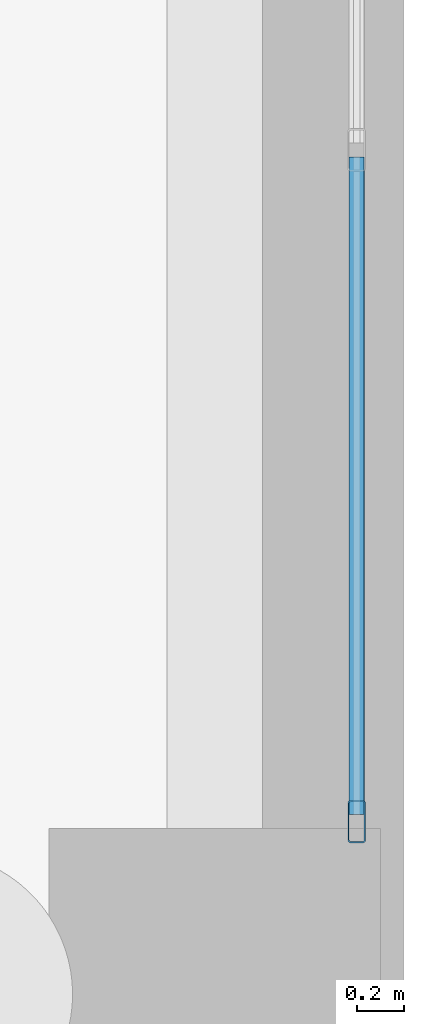
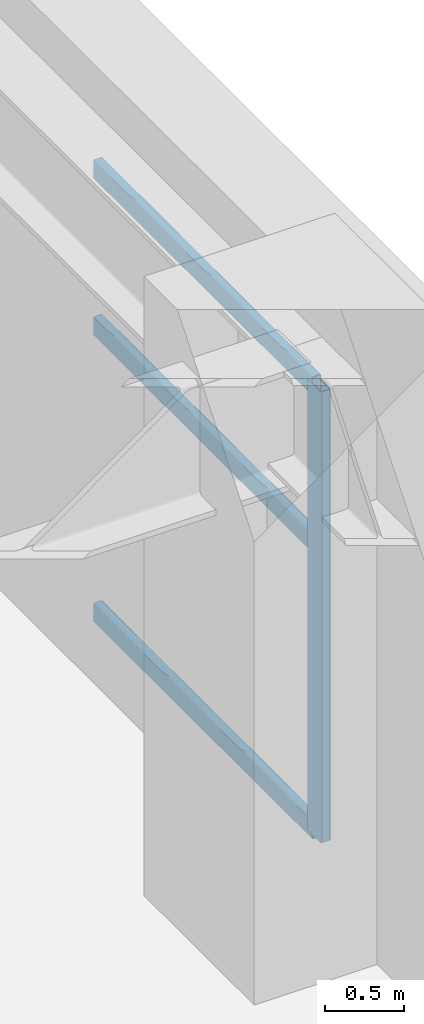
# One storey, part 12 of 25: 4 members, 1 element without a shape of its own.
"""IFC4 building model written with IfcOpenShell, lengths in metres."""

from ifc_helpers import new_model, si_unit, direction, frame, origin, origin_2d, place, context, subcontext, project, spatial, hollow_rectangle, extrude, material, layer, layer_set, material_profile, profile_set, type_object, element, aggregate, save


model = new_model("IFC4")

# Units and contexts
model_context = context("Model", 3, precision=1e-05, world=origin(), true_north=direction((0.0, 1.0)))
body_context = subcontext(model_context, "Body", "Model", "MODEL_VIEW")
ifc_project = project(units=[si_unit("LENGTHUNIT", "METRE"), si_unit("AREAUNIT", "SQUARE_METRE"), si_unit("VOLUMEUNIT", "CUBIC_METRE"), si_unit("PLANEANGLEUNIT", "RADIAN"), si_unit("MASSUNIT", "GRAM", prefix="KILO")], contexts=[model_context])

# Site, building, storey
site_placement = place(None, origin())
site = spatial("IfcSite", under=ifc_project, at=site_placement, CompositionType="ELEMENT")
building_placement = place(site_placement, origin())
building = spatial("IfcBuilding", under=site, at=building_placement, Name="Soratama Intermodal Tower", CompositionType="ELEMENT")
storey_placement = place(building_placement, frame((0.0, 0.0, -10.199951171875)))
storey = spatial("IfcBuildingStorey", under=building, at=storey_placement, Name="B2", CompositionType="ELEMENT", Elevation=-10.199951171875)

# Curtain wall, members
ifc_material_1 = material(Name="Double-glazed aluminium curtain wall", Category="aluminium")
ifc_layer = layer(ifc_material_1, 0.159912109375)
ifc_layer_set = layer_set([ifc_layer], Name="Double-glazed aluminium curtain wall")
curtain_wall_type = type_object("IfcCurtainWallType", Name="CW-SYS-1", PredefinedType="NOTDEFINED", material=ifc_layer_set)
curtain_wall_placement = place(storey_placement, origin())
curtain_wall = element("IfcCurtainWall", 1, at=curtain_wall_placement, inside=storey, type_object=curtain_wall_type, Name="B2 Station Curtain Wall E1", PredefinedType="NOTDEFINED")
ifc_material_2 = material(Name="Anodised aluminium AA 6063-T6", Category="aluminium")
ifc_material_profile_1 = material_profile(ifc_material_2, hollow_rectangle(XDim=0.074951171875, YDim=0.179931640625, WallThickness=0.006103515625, InnerFilletRadius=0.006103515625, OuterFilletRadius=0.011962890625, at=origin_2d()), Name="CWM180X75X6")
ifc_profile_set_1 = profile_set([ifc_material_profile_1], Name="Anodised aluminium AA 6063-T6")
member_type_1 = type_object("IfcMemberType", Name="MT-CWM-1", PredefinedType="MULLION", material=ifc_profile_set_1)
member_1_placement = place(storey_placement, frame((83.800048828125, 15.72998046875, 0.0), z_axis=(0.0, 0.0, 1.0), x_axis=(-1.0, 0.0, 0.0)))
member_1 = element("IfcMember", 2, at=member_1_placement, type_object=member_type_1, Name="CW-1 mullion 1", PredefinedType="MULLION", context=body_context, shape_type="SweptSolid", body=[
    extrude(hollow_rectangle(XDim=0.074951171875, YDim=0.179931640625, WallThickness=0.006103515625, InnerFilletRadius=0.006103515625, OuterFilletRadius=0.011962890625, at=origin_2d()), origin(), (0.0, 0.0, 1.0), 3.495849609375),
])
ifc_material_3 = material(Name="Anodised aluminium AA 6063-T6", Category="aluminium")
ifc_material_profile_2 = material_profile(ifc_material_3, hollow_rectangle(XDim=0.06494140625, YDim=0.14990234375, WallThickness=0.0048828125, InnerFilletRadius=0.0048828125, OuterFilletRadius=0.010009765625, at=origin_2d()), Name="CWT150X65X5")
ifc_profile_set_2 = profile_set([ifc_material_profile_2], Name="Anodised aluminium AA 6063-T6")
member_type_2 = type_object("IfcMemberType", Name="TT-CWT-1", PredefinedType="USERDEFINED", material=ifc_profile_set_2)
member_2_placement = place(storey_placement, frame((83.800048828125, 15.760009765625, 0.030029296875), z_axis=(0.0, 1.0, 0.0), x_axis=(-1.0, 0.0, 0.0)))
member_2 = element("IfcMember", 3, at=member_2_placement, type_object=member_type_2, Name="CW-1 transom 1.1", ObjectType="TRANSOM", PredefinedType="USERDEFINED", context=body_context, shape_type="SweptSolid", body=[
    extrude(hollow_rectangle(XDim=0.06494140625, YDim=0.14990234375, WallThickness=0.0048828125, InnerFilletRadius=0.0048828125, OuterFilletRadius=0.010009765625, at=origin_2d()), origin(), (0.0, 0.0, 1.0), 2.776611328125),
])
member_3_placement = place(storey_placement, frame((83.800048828125, 15.760009765625, 2.25), z_axis=(0.0, 1.0, 0.0), x_axis=(-1.0, 0.0, 0.0)))
member_3 = element("IfcMember", 4, at=member_3_placement, type_object=member_type_2, Name="CW-1 transom 1.2", ObjectType="TRANSOM", PredefinedType="USERDEFINED", context=body_context, shape_type="SweptSolid", body=[
    extrude(hollow_rectangle(XDim=0.06494140625, YDim=0.14990234375, WallThickness=0.0048828125, InnerFilletRadius=0.0048828125, OuterFilletRadius=0.010009765625, at=origin_2d()), origin(), (0.0, 0.0, 1.0), 2.776611328125),
])
member_4_placement = place(storey_placement, frame((83.800048828125, 15.760009765625, 3.466064453125), z_axis=(0.0, 1.0, 0.0), x_axis=(-1.0, 0.0, 0.0)))
member_4 = element("IfcMember", 5, at=member_4_placement, type_object=member_type_2, Name="CW-1 transom 1.3", ObjectType="TRANSOM", PredefinedType="USERDEFINED", context=body_context, shape_type="SweptSolid", body=[
    extrude(hollow_rectangle(XDim=0.06494140625, YDim=0.14990234375, WallThickness=0.0048828125, InnerFilletRadius=0.0048828125, OuterFilletRadius=0.010009765625, at=origin_2d()), origin(), (0.0, 0.0, 1.0), 2.776611328125),
])
aggregate(curtain_wall, [member_1, member_2, member_3, member_4])

save(model, "model.ifc")
